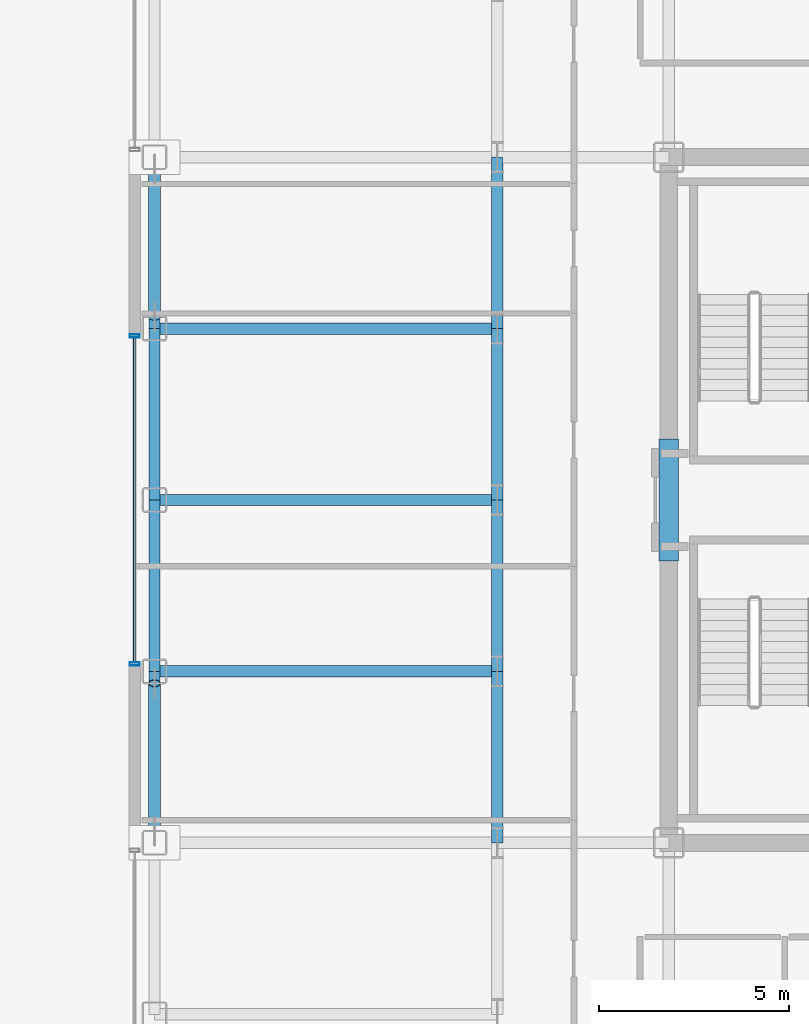
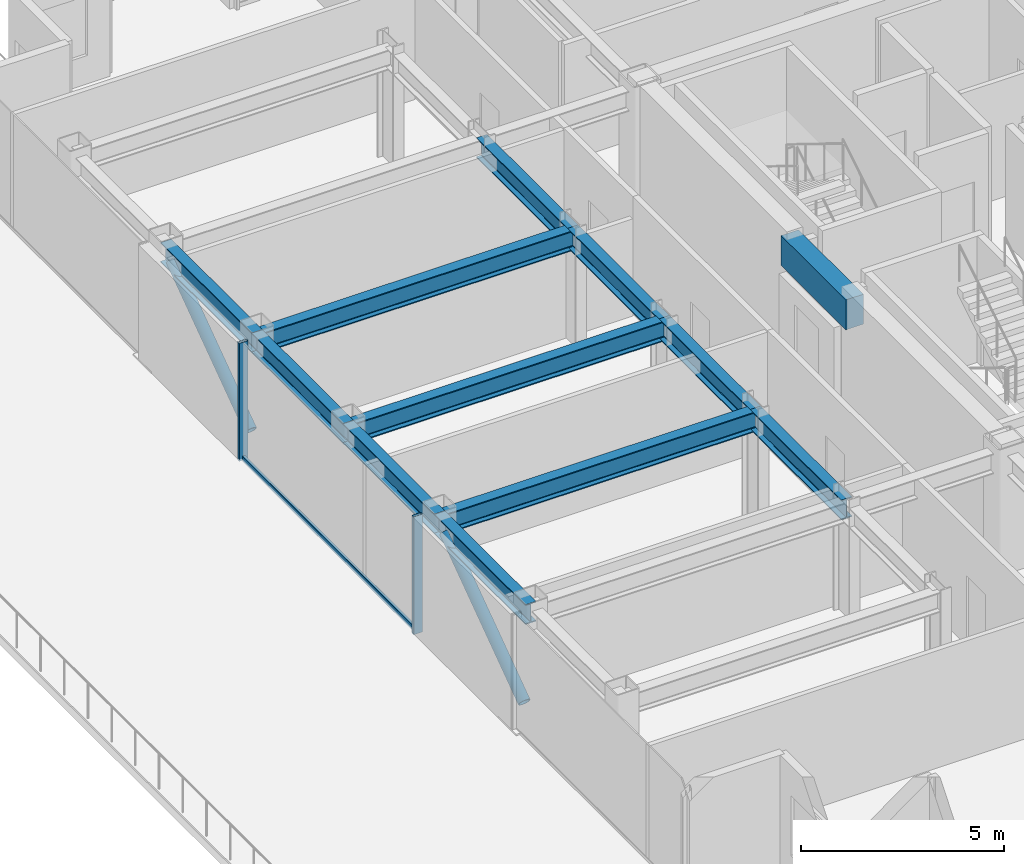
# One storey, part 4 of 21: 12 beams, 5 members, 1 element without a shape of its own.
"""IFC4 building model written with IfcOpenShell, lengths in metres."""

from ifc_helpers import new_model, si_unit, direction, frame, origin, origin_2d, place, context, subcontext, project, spatial, rectangle, hollow_rectangle, hollow_circle, i_section, extrude, source, transform, mapped, material, layer, layer_set, material_profile, profile_set, type_object, element, aggregate, save


model = new_model("IFC4")

# Units and contexts
model_context = context("Model", 3, precision=1e-05, world=origin(), true_north=direction((0.0, 1.0)))
body_context = subcontext(model_context, "Body", "Model", "MODEL_VIEW")
ifc_project = project(units=[si_unit("LENGTHUNIT", "METRE"), si_unit("AREAUNIT", "SQUARE_METRE"), si_unit("VOLUMEUNIT", "CUBIC_METRE"), si_unit("PLANEANGLEUNIT", "RADIAN"), si_unit("MASSUNIT", "GRAM", prefix="KILO")], contexts=[model_context])

# Site, building, storey
site_placement = place(None, origin())
site = spatial("IfcSite", under=ifc_project, at=site_placement, CompositionType="ELEMENT")
building_placement = place(site_placement, origin())
building = spatial("IfcBuilding", under=site, at=building_placement, Name="Nefas-Gora Pilgrimage Tower", CompositionType="ELEMENT")
storey_placement = place(building_placement, frame((0.0, 0.0, 206.60009765625)))
storey = spatial("IfcBuildingStorey", under=building, at=storey_placement, Name="L51", CompositionType="ELEMENT", Elevation=206.60009765625)

# Beams
ifc_material_1 = material(Name="Concrete C50/60", Category="concrete")
ifc_material_profile_1 = material_profile(ifc_material_1, rectangle(XDim=0.5, YDim=0.89990234375, at=origin_2d()), Name="RC 500x900")
ifc_profile_set_1 = profile_set([ifc_material_profile_1], Name="Concrete C50/60")
beam_type_1 = type_object("IfcBeamType", Name="BM-LIN-RC900", PredefinedType="LINTEL", material=ifc_profile_set_1)
shared_shape_1 = source(origin(), body_context, "Body", "SweptSolid", [
    extrude(rectangle(XDim=0.5, YDim=0.89990234375, at=origin_2d()), origin(), (0.0, 0.0, 1.0), 3.2001953125),
])
beam_placement = place(storey_placement, frame((-11.25, -1.60009765625, 3.099853515625), z_axis=(0.0, 1.0, 0.0), x_axis=(-1.0, 0.0, 0.0)))
element("IfcBeam", 1, at=beam_placement, inside=storey, type_object=beam_type_1, Name="L51 Core Coupling Lintel Beam W", PredefinedType="LINTEL", context=body_context, shape_type="MappedRepresentation", body=[
    mapped(shared_shape_1, transform((0.0, 0.0, 0.0), x_axis=(1.0, 0.0, 0.0), y_axis=(0.0, 1.0, 0.0), z_axis=(0.0, 0.0, 1.0), scale=1.0)),
])
ifc_material_2 = material(Name="Steel S355", Category="steel")
ifc_material_profile_2 = material_profile(ifc_material_2, i_section(OverallWidth=0.300048828125, OverallDepth=0.60009765625, WebThickness=0.015380859375, FlangeThickness=0.030029296875, FilletRadius=0.027099609375, at=origin_2d()), Name="HEB 600")
ifc_profile_set_2 = profile_set([ifc_material_profile_2], Name="Steel S355")
beam_type_2 = type_object("IfcBeamType", Name="BM-SPN-HEB450", PredefinedType="SPANDREL", material=ifc_profile_set_2)
shared_shape_2 = source(origin(), body_context, "Body", "SweptSolid", [
    extrude(i_section(OverallWidth=0.300048828125, OverallDepth=0.60009765625, WebThickness=0.015380859375, FlangeThickness=0.030029296875, FilletRadius=0.027099609375, at=origin_2d()), origin(), (0.0, 0.0, 1.0), 4.5),
])
for number, where, z_axis, x_axis, name in (
    (2, (-24.75, -9.0, 3.25), (0.0, 1.0, 0.0), (-1.0, 0.0, 0.0), "L51 SP-03 beam"),
    (3, (-24.75, -4.5, 3.25), (0.0, 1.0, 0.0), (-1.0, 0.0, 0.0), "L51 SP-03 beam"),
    (4, (-24.75, 0.0, 3.25), (0.0, 1.0, 0.0), (-1.0, 0.0, 0.0), "L51 SP-03 beam"),
    (5, (-24.75, 4.5, 3.25), (0.0, 1.0, 0.0), (-1.0, 0.0, 0.0), "L51 SP-03 beam"),
):
    element("IfcBeam", number, at=place(storey_placement, frame(where, z_axis=z_axis, x_axis=x_axis)), inside=storey, type_object=beam_type_2, Name=name, PredefinedType="SPANDREL", context=body_context, shape_type="MappedRepresentation", body=[
        mapped(shared_shape_2, transform((0.0, 0.0, 0.0), x_axis=(1.0, 0.0, 0.0), y_axis=(0.0, 1.0, 0.0), z_axis=(0.0, 0.0, 1.0), scale=1.0)),
    ])
ifc_material_profile_3 = material_profile(ifc_material_2, i_section(OverallWidth=0.300048828125, OverallDepth=0.60009765625, WebThickness=0.015380859375, FlangeThickness=0.030029296875, FilletRadius=0.027099609375, at=origin_2d()), Name="HEB 600")
ifc_profile_set_3 = profile_set([ifc_material_profile_3], Name="Steel S355")
beam_type_3 = type_object("IfcBeamType", Name="BM-GIR-HEB600", PredefinedType="BEAM", material=ifc_profile_set_3)
shared_shape_3 = source(origin(), body_context, "Body", "SweptSolid", [
    extrude(i_section(OverallWidth=0.300048828125, OverallDepth=0.60009765625, WebThickness=0.015380859375, FlangeThickness=0.030029296875, FilletRadius=0.027099609375, at=origin_2d()), origin(), (0.0, 0.0, 1.0), 9.0),
])
for number, where, z_axis, x_axis, name in (
    (6, (-24.75, -4.5, 3.25), (1.0, 0.0, 0.0), (0.0, 1.0, 0.0), "L51 G-04 beam"),
    (7, (-24.75, 0.0, 3.25), (1.0, 0.0, 0.0), (0.0, 1.0, 0.0), "L51 G-04 beam"),
    (8, (-24.75, 4.5, 3.25), (1.0, 0.0, 0.0), (0.0, 1.0, 0.0), "L51 G-04 beam"),
):
    element("IfcBeam", number, at=place(storey_placement, frame(where, z_axis=z_axis, x_axis=x_axis)), inside=storey, type_object=beam_type_3, Name=name, PredefinedType="BEAM", context=body_context, shape_type="MappedRepresentation", body=[
        mapped(shared_shape_3, transform((0.0, 0.0, 0.0), x_axis=(1.0, 0.0, 0.0), y_axis=(0.0, 1.0, 0.0), z_axis=(0.0, 0.0, 1.0), scale=1.0)),
    ])
shared_shape_4 = source(origin(), body_context, "Body", "SweptSolid", [
    extrude(i_section(OverallWidth=0.300048828125, OverallDepth=0.60009765625, WebThickness=0.015380859375, FlangeThickness=0.030029296875, FilletRadius=0.027099609375, at=origin_2d()), origin(), (0.0, 0.0, 1.0), 4.5),
])
for number, where, z_axis, x_axis, name in (
    (9, (-15.75, -9.0, 3.25), (0.0, 1.0, 0.0), (-1.0, 0.0, 0.0), "L51 G-04 beam"),
    (10, (-15.75, -4.5, 3.25), (0.0, 1.0, 0.0), (-1.0, 0.0, 0.0), "L51 G-04 beam"),
    (11, (-15.75, 0.0, 3.25), (0.0, 1.0, 0.0), (-1.0, 0.0, 0.0), "L51 G-04 beam"),
    (12, (-15.75, 4.5, 3.25), (0.0, 1.0, 0.0), (-1.0, 0.0, 0.0), "L51 G-04 beam"),
):
    element("IfcBeam", number, at=place(storey_placement, frame(where, z_axis=z_axis, x_axis=x_axis)), inside=storey, type_object=beam_type_3, Name=name, PredefinedType="BEAM", context=body_context, shape_type="MappedRepresentation", body=[
        mapped(shared_shape_4, transform((0.0, 0.0, 0.0), x_axis=(1.0, 0.0, 0.0), y_axis=(0.0, 1.0, 0.0), z_axis=(0.0, 0.0, 1.0), scale=1.0)),
    ])

# Members
ifc_material_profile_4 = material_profile(ifc_material_2, hollow_circle(Radius=0.161865234375, WallThickness=0.02001953125, at=origin_2d()), Name="CHS 323.9x20")
ifc_profile_set_4 = profile_set([ifc_material_profile_4], Name="Steel S355")
member_type_1 = type_object("IfcMemberType", Name="MEM-TUBE-324", PredefinedType="BRACE", material=ifc_profile_set_4)
shared_shape_5 = source(origin(), body_context, "Body", "SweptSolid", [
    extrude(hollow_circle(Radius=0.161865234375, WallThickness=0.02001953125, at=origin_2d()), origin(), (0.0, 0.0, 1.0), 4.763671875),
])
for number, where, z_axis, x_axis, name in (
    (13, (-24.75, -8.68701171875, 0.3740234375), (0.0, 0.813255312614, 0.581907034246), (-1.0, 0.0, 0.0), "L51 Perimeter Tube Diagonal Brace W1"),
    (14, (-24.75, 4.81298828125, 0.3740234375), (0.0, 0.813255312614, 0.581907034246), (-1.0, 0.0, 0.0), "L51 Perimeter Tube Diagonal Brace W2"),
):
    element("IfcMember", number, at=place(storey_placement, frame(where, z_axis=z_axis, x_axis=x_axis)), inside=storey, type_object=member_type_1, Name=name, PredefinedType="BRACE", context=body_context, shape_type="MappedRepresentation", body=[
        mapped(shared_shape_5, transform((0.0, 0.0, 0.0), x_axis=(1.0, 0.0, 0.0), y_axis=(0.0, 1.0, 0.0), z_axis=(0.0, 0.0, 1.0), scale=1.0)),
    ])

# Curtain wall, members
ifc_material_3 = material(Name="Dark ceramic-fritted solar-control aluminium-glass curtain wall", Category="aluminium")
ifc_layer = layer(ifc_material_3, 0.219970703125)
ifc_layer_set = layer_set([ifc_layer], Name="Dark ceramic-fritted solar-control aluminium-glass curtain wall")
curtain_wall_type = type_object("IfcCurtainWallType", Name="CW-SYS-3", PredefinedType="NOTDEFINED", material=ifc_layer_set)
curtain_wall_placement = place(storey_placement, origin())
curtain_wall = element("IfcCurtainWall", 15, at=curtain_wall_placement, inside=storey, type_object=curtain_wall_type, Name="L51 Unitised Curtain Wall CW3", PredefinedType="NOTDEFINED")
ifc_material_4 = material(Name="Anodised architectural aluminium", Category="aluminium")
ifc_material_profile_5 = material_profile(ifc_material_4, hollow_rectangle(XDim=0.080078125, YDim=0.159912109375, WallThickness=0.00439453125, InnerFilletRadius=0.00439453125, OuterFilletRadius=0.009033203125, at=origin_2d()), Name="ALU TRANSOM 80x160")
ifc_profile_set_5 = profile_set([ifc_material_profile_5], Name="Anodised architectural aluminium")
member_type_2 = type_object("IfcMemberType", Name="CWM-TRN-3", PredefinedType="USERDEFINED", material=ifc_profile_set_5)
shared_shape_6 = source(origin(), body_context, "Body", "SweptSolid", [
    extrude(hollow_rectangle(XDim=0.080078125, YDim=0.159912109375, WallThickness=0.00439453125, InnerFilletRadius=0.00439453125, OuterFilletRadius=0.009033203125, at=origin_2d()), origin(), (0.0, 0.0, 1.0), 8.52001953125),
])
member_1_placement = place(storey_placement, frame((-25.27001953125, 4.260009765625, 0.0498046875), z_axis=(0.0, -1.0, 0.0), x_axis=(1.0, 0.0, 0.0)))
member_1 = element("IfcMember", 16, at=member_1_placement, type_object=member_type_2, Name="CW3 Spandrel Transom", ObjectType="TRANSOM", PredefinedType="USERDEFINED", context=body_context, shape_type="MappedRepresentation", body=[
    mapped(shared_shape_6, transform((0.0, 0.0, 0.0), x_axis=(1.0, 0.0, 0.0), y_axis=(0.0, 1.0, 0.0), z_axis=(0.0, 0.0, 1.0), scale=1.0)),
])
ifc_material_profile_6 = material_profile(ifc_material_4, hollow_rectangle(XDim=0.090087890625, YDim=0.260009765625, WallThickness=0.006103515625, InnerFilletRadius=0.006103515625, OuterFilletRadius=0.011962890625, at=origin_2d()), Name="ALU MULLION 90x260")
ifc_profile_set_6 = profile_set([ifc_material_profile_6], Name="Anodised architectural aluminium")
member_type_3 = type_object("IfcMemberType", Name="CWM-MUL-3", PredefinedType="MULLION", material=ifc_profile_set_6)
shared_shape_7 = source(origin(), body_context, "Body", "SweptSolid", [
    extrude(hollow_rectangle(XDim=0.090087890625, YDim=0.260009765625, WallThickness=0.006103515625, InnerFilletRadius=0.006103515625, OuterFilletRadius=0.011962890625, at=origin_2d()), origin(), (0.0, 0.0, 1.0), 3.5498046875),
])
member_2_placement = place(storey_placement, frame((-25.27001953125, 4.304931640625, 0.0), z_axis=(0.0, 0.0, 1.0), x_axis=(0.0, -1.0, 0.0)))
member_2 = element("IfcMember", 17, at=member_2_placement, type_object=member_type_3, Name="CW3 Mullion 1", PredefinedType="MULLION", context=body_context, shape_type="MappedRepresentation", body=[
    mapped(shared_shape_7, transform((0.0, 0.0, 0.0), x_axis=(1.0, 0.0, 0.0), y_axis=(0.0, 1.0, 0.0), z_axis=(0.0, 0.0, 1.0), scale=1.0)),
])
member_3_placement = place(storey_placement, frame((-25.27001953125, -4.304931640625, 0.0), z_axis=(0.0, 0.0, 1.0), x_axis=(0.0, -1.0, 0.0)))
member_3 = element("IfcMember", 18, at=member_3_placement, type_object=member_type_3, Name="CW3 Mullion 2", PredefinedType="MULLION", context=body_context, shape_type="MappedRepresentation", body=[
    mapped(shared_shape_7, transform((0.0, 0.0, 0.0), x_axis=(1.0, 0.0, 0.0), y_axis=(0.0, 1.0, 0.0), z_axis=(0.0, 0.0, 1.0), scale=1.0)),
])
aggregate(curtain_wall, [member_2, member_3, member_1])

save(model, "model.ifc")
